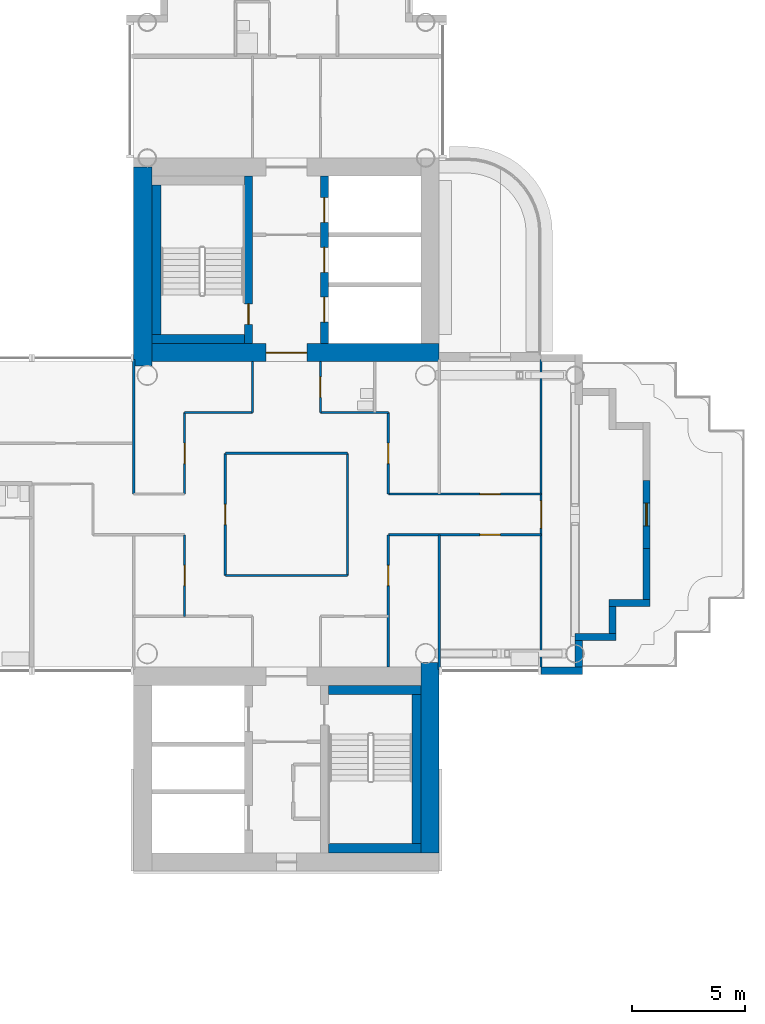
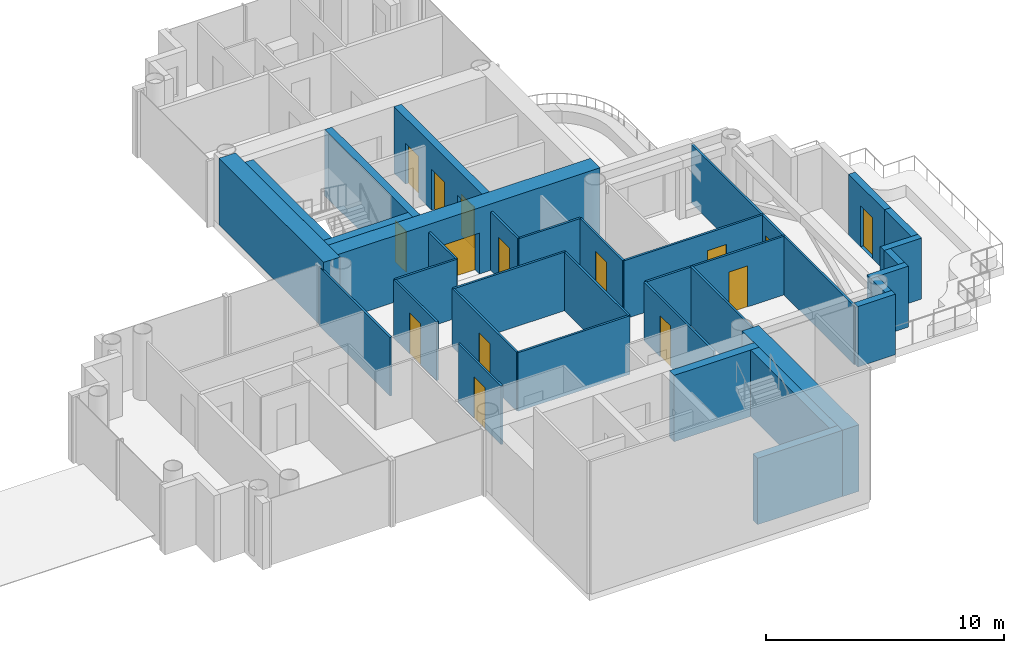
# One storey, part 11 of 19: 34 walls, 15 doors, 15 openings.
"""IFC4 building model written with IfcOpenShell, lengths in metres."""

from ifc_helpers import new_model, si_unit, direction, frame, frame_2d, origin, place, context, subcontext, project, spatial, rectangle, extrude, material, layer, layer_set, type_object, element, fill, save


model = new_model("IFC4")

# Units and contexts
model_context = context("Model", 3, precision=1e-05, world=origin(), true_north=direction((0.0, 1.0)))
body_context = subcontext(model_context, "Body", "Model", "MODEL_VIEW")
ifc_project = project(units=[si_unit("LENGTHUNIT", "METRE"), si_unit("AREAUNIT", "SQUARE_METRE"), si_unit("VOLUMEUNIT", "CUBIC_METRE"), si_unit("PLANEANGLEUNIT", "RADIAN"), si_unit("MASSUNIT", "GRAM", prefix="KILO")], contexts=[model_context])

# Site, building, storey
site_placement = place(None, origin())
site = spatial("IfcSite", under=ifc_project, at=site_placement, CompositionType="ELEMENT")
building_placement = place(site_placement, origin())
building = spatial("IfcBuilding", under=site, at=building_placement, Name="Ipe Terrace Towers", CompositionType="ELEMENT")
storey_placement = place(building_placement, frame((0.0, 0.0, 133.699951171875)))
storey = spatial("IfcBuildingStorey", under=building, at=storey_placement, Name="L36", CompositionType="ELEMENT", Elevation=133.699951171875)

# Walls
ifc_material_1 = material(Name="Concrete C40/50 with buff precast cladding", Category="concrete")
ifc_layer_1 = layer(ifc_material_1, 0.320068359375)
ifc_layer_set_1 = layer_set([ifc_layer_1], Name="BUFF CLADDING WALL 320")
wall_type_1 = type_object("IfcWallType", Name="BUFF CLADDING WALL 320", PredefinedType="STANDARD", material=ifc_layer_set_1)
wall_1_placement = place(storey_placement, frame((47.25, -6.909912109375, 0.0), z_axis=(0.0, 0.0, 1.0), x_axis=(1.0, 0.0, 0.0)))
element("IfcWall", 1, at=wall_1_placement, inside=storey, type_object=wall_type_1, Name="T2-W-L36-03a wall", PredefinedType="STANDARD", context=body_context, shape_type="SweptSolid", body=[
    extrude(rectangle(XDim=1.820068359375, YDim=0.320068359375, at=frame_2d((0.91015625, 0.0))), origin(), (0.0, 0.0, 1.0), 3.10009765625),
])
wall_2_placement = place(storey_placement, frame((48.909912109375, -6.75, -0.02001953125), z_axis=(0.0, 0.0, 1.0), x_axis=(0.0, 1.0, 0.0)))
element("IfcWall", 2, at=wall_2_placement, inside=storey, type_object=wall_type_1, Name="T2-W-L36-04a wall", PredefinedType="STANDARD", context=body_context, shape_type="SweptSolid", body=[
    extrude(rectangle(XDim=1.179931640625, YDim=0.320068359375, at=frame_2d((0.58984375, 0.0))), origin(), (0.0, 0.0, 1.0), 3.1201171875),
])
wall_3_placement = place(storey_placement, frame((48.75, -5.409912109375, -0.02001953125), z_axis=(0.0, 0.0, 1.0), x_axis=(1.0, 0.0, 0.0)))
element("IfcWall", 3, at=wall_3_placement, inside=storey, type_object=wall_type_1, Name="T2-W-L36-05a wall", PredefinedType="STANDARD", context=body_context, shape_type="SweptSolid", body=[
    extrude(rectangle(XDim=1.820068359375, YDim=0.320068359375, at=frame_2d((0.91015625, 0.0))), origin(), (0.0, 0.0, 1.0), 3.1201171875),
])
wall_4_placement = place(storey_placement, frame((50.409912109375, -5.25, -0.02001953125), z_axis=(0.0, 0.0, 1.0), x_axis=(0.0, 1.0, 0.0)))
element("IfcWall", 4, at=wall_4_placement, inside=storey, type_object=wall_type_1, Name="T2-W-L36-06a wall", PredefinedType="STANDARD", context=body_context, shape_type="SweptSolid", body=[
    extrude(rectangle(XDim=1.179931640625, YDim=0.320068359375, at=frame_2d((0.58984375, 0.0))), origin(), (0.0, 0.0, 1.0), 3.1201171875),
])
wall_5_placement = place(storey_placement, frame((50.25, -3.909912109375, -0.02001953125), z_axis=(0.0, 0.0, 1.0), x_axis=(1.0, 0.0, 0.0)))
element("IfcWall", 5, at=wall_5_placement, inside=storey, type_object=wall_type_1, Name="T2-W-L36-07a wall", PredefinedType="STANDARD", context=body_context, shape_type="SweptSolid", body=[
    extrude(rectangle(XDim=1.820068359375, YDim=0.320068359375, at=frame_2d((0.91015625, 0.0))), origin(), (0.0, 0.0, 1.0), 3.1201171875),
])
wall_6_placement = place(storey_placement, frame((51.909912109375, -3.75, -0.02001953125), z_axis=(0.0, 0.0, 1.0), x_axis=(0.0, 1.0, 0.0)))
element("IfcWall", 6, at=wall_6_placement, inside=storey, type_object=wall_type_1, Name="T2-W-L36-08a wall", PredefinedType="STANDARD", context=body_context, shape_type="SweptSolid", body=[
    extrude(rectangle(XDim=2.25, YDim=0.320068359375, at=frame_2d((1.125, 0.0))), origin(), (0.0, 0.0, 1.0), 3.1201171875),
])

# Wall, opening, door
wall_7_placement = place(storey_placement, frame((51.909912109375, -1.5, -0.02001953125), z_axis=(0.0, 0.0, 1.0), x_axis=(0.0, 1.0, 0.0)))
wall_7 = element("IfcWall", 7, at=wall_7_placement, inside=storey, type_object=wall_type_1, Name="T2-W-L36-08b wall", PredefinedType="STANDARD", context=body_context, shape_type="SweptSolid", body=[
    extrude(rectangle(XDim=3.0, YDim=0.320068359375, at=frame_2d((1.5, 0.0))), origin(), (0.0, 0.0, 1.0), 3.1201171875),
])
opening_1_placement = place(wall_7_placement, frame((1.0, 0.0, 0.02001953125)))
opening_1 = element("IfcOpeningElement", 8, at=opening_1_placement, cuts=wall_7, Name="Opening T2-D-L36-08", PredefinedType="OPENING", context=body_context, shape_type="SweptSolid", body=[
    extrude(rectangle(XDim=1.0, YDim=2.10009765625, at=frame_2d((0.5, 1.050048828125))), frame((0.0, 0.169921875, 0.0), z_axis=(0.0, -1.0, 0.0), x_axis=(1.0, 0.0, 0.0)), (0.0, 0.0, 1.0), 0.340087890625),
])
ifc_material_2 = material(Name="Aluminium alloy 6063-T6 framed glazed door", Category="aluminium")
door_type_1 = type_object("IfcDoorType", Name="TERRACE DOOR 1000 x 2100", OperationType="SINGLE_SWING_LEFT", PredefinedType="DOOR", material=ifc_material_2)
door_1_placement = place(opening_1_placement, origin())
door_1 = element("IfcDoor", 9, at=door_1_placement, inside=storey, type_object=door_type_1, Name="DT1 door", OperationType="SINGLE_SWING_LEFT", OverallHeight=2.10009765625, OverallWidth=1.0, PredefinedType="DOOR", context=body_context, shape_type="SweptSolid", body=[
    extrude(rectangle(XDim=1.0, YDim=2.10009765625, at=frame_2d((0.5, 1.050048828125))), frame((0.0, 0.02490234375, 0.0), z_axis=(0.0, -1.0, 0.0), x_axis=(1.0, 0.0, 0.0)), (0.0, 0.0, 1.0), 0.050048828125),
])
fill(opening_1, door_1)

# Wall
ifc_material_3 = material(Name="Gypsum board partition", Category="plasterboard")
ifc_layer_2 = layer(ifc_material_3, 0.10009765625)
ifc_layer_set_2 = layer_set([ifc_layer_2], Name="Gypsum board partition 100 mm")
wall_type_2 = type_object("IfcWallType", Name="Gypsum board partition 100 mm", PredefinedType="PARTITIONING", material=ifc_layer_set_2)
wall_8_placement = place(storey_placement, frame((38.699951171875, -2.699951171875, 0.0), z_axis=(0.0, 0.0, 1.0), x_axis=(-1.0, 0.0, 0.0)))
element("IfcWall", 10, at=wall_8_placement, inside=storey, type_object=wall_type_2, Name="Gypsum board partition T2 L36 W03", PredefinedType="PARTITIONING", context=body_context, shape_type="SweptSolid", body=[
    extrude(rectangle(XDim=5.39990234375, YDim=0.10009765625, at=frame_2d((2.699951171875, 0.0))), origin(), (0.0, 0.0, 1.0), 3.0),
])

# Wall, opening, door
wall_9_placement = place(storey_placement, frame((47.25, -0.89990234375, 0.0), z_axis=(0.0, 0.0, 1.0), x_axis=(-1.0, 0.0, 0.0)))
wall_9 = element("IfcWall", 11, at=wall_9_placement, inside=storey, type_object=wall_type_2, Name="Gypsum board partition T2 L36 W04", PredefinedType="PARTITIONING", context=body_context, shape_type="SweptSolid", body=[
    extrude(rectangle(XDim=6.75, YDim=0.10009765625, at=frame_2d((3.375, 0.0))), origin(), (0.0, 0.0, 1.0), 3.0),
])
opening_2_placement = place(wall_9_placement, frame((1.800048828125, 0.0, 0.0)))
opening_2 = element("IfcOpeningElement", 12, at=opening_2_placement, cuts=wall_9, Name="Opening T2-Z3A-15", PredefinedType="OPENING", context=body_context, shape_type="SweptSolid", body=[
    extrude(rectangle(XDim=0.89990234375, YDim=2.10009765625, at=frame_2d((0.449951171875, 1.050048828125))), frame((0.0, 0.06005859375, 0.0), z_axis=(0.0, -1.0, 0.0), x_axis=(1.0, 0.0, 0.0)), (0.0, 0.0, 1.0), 0.1201171875),
])
ifc_material_4 = material(Name="Timber door leaf", Category="wood")
door_type_2 = type_object("IfcDoorType", Name="Lounge door 900 x 2100", OperationType="NOTDEFINED", PredefinedType="DOOR", material=ifc_material_4)
door_2_placement = place(opening_2_placement, origin())
door_2 = element("IfcDoor", 13, at=door_2_placement, inside=storey, type_object=door_type_2, Name="Lounge door T2-Z3A-15", OperationType="SINGLE_SWING_RIGHT", OverallHeight=2.10009765625, OverallWidth=0.89990234375, PredefinedType="DOOR", context=body_context, shape_type="SweptSolid", body=[
    extrude(rectangle(XDim=0.89990234375, YDim=2.10009765625, at=frame_2d((0.449951171875, 1.050048828125))), frame((0.0, 0.02490234375, 0.0), z_axis=(0.0, -1.0, 0.0), x_axis=(1.0, 0.0, 0.0)), (0.0, 0.0, 1.0), 0.050048828125),
])
fill(opening_2, door_2)

wall_10_placement = place(storey_placement, frame((47.25, 0.89990234375, 0.0), z_axis=(0.0, 0.0, 1.0), x_axis=(-1.0, 0.0, 0.0)))
wall_10 = element("IfcWall", 14, at=wall_10_placement, inside=storey, type_object=wall_type_2, Name="Gypsum board partition T2 L36 W07", PredefinedType="PARTITIONING", context=body_context, shape_type="SweptSolid", body=[
    extrude(rectangle(XDim=6.75, YDim=0.10009765625, at=frame_2d((3.375, 0.0))), origin(), (0.0, 0.0, 1.0), 3.0),
])
opening_3_placement = place(wall_10_placement, frame((1.800048828125, 0.0, 0.0)))
opening_3 = element("IfcOpeningElement", 15, at=opening_3_placement, cuts=wall_10, Name="Opening T2-Z3A-14", PredefinedType="OPENING", context=body_context, shape_type="SweptSolid", body=[
    extrude(rectangle(XDim=0.89990234375, YDim=2.10009765625, at=frame_2d((0.449951171875, 1.050048828125))), frame((0.0, 0.06005859375, 0.0), z_axis=(0.0, -1.0, 0.0), x_axis=(1.0, 0.0, 0.0)), (0.0, 0.0, 1.0), 0.1201171875),
])
door_3_placement = place(opening_3_placement, origin())
door_3 = element("IfcDoor", 16, at=door_3_placement, inside=storey, type_object=door_type_2, Name="Lounge door T2-Z3A-14", OperationType="SINGLE_SWING_LEFT", OverallHeight=2.10009765625, OverallWidth=0.89990234375, PredefinedType="DOOR", context=body_context, shape_type="SweptSolid", body=[
    extrude(rectangle(XDim=0.89990234375, YDim=2.10009765625, at=frame_2d((0.449951171875, 1.050048828125))), frame((0.0, 0.02490234375, 0.0), z_axis=(0.0, -1.0, 0.0), x_axis=(1.0, 0.0, 0.0)), (0.0, 0.0, 1.0), 0.050048828125),
])
fill(opening_3, door_3)

# Walls
wall_11_placement = place(storey_placement, frame((38.699951171875, 2.699951171875, 0.0), z_axis=(0.0, 0.0, 1.0), x_axis=(-1.0, 0.0, 0.0)))
element("IfcWall", 17, at=wall_11_placement, inside=storey, type_object=wall_type_2, Name="Gypsum board partition T2 L36 W11", PredefinedType="PARTITIONING", context=body_context, shape_type="SweptSolid", body=[
    extrude(rectangle(XDim=5.39990234375, YDim=0.10009765625, at=frame_2d((2.699951171875, 0.0))), origin(), (0.0, 0.0, 1.0), 3.0),
])
for number, where, z_axis, x_axis, name in (
    (18, (40.5, 4.5, 0.0), (0.0, 0.0, 1.0), (-1.0, 0.0, 0.0), "Gypsum board partition T2 L36 W13"),
    (19, (34.5, 4.5, 0.0), (0.0, 0.0, 1.0), (-1.0, 0.0, 0.0), "Gypsum board partition T2 L36 W14"),
):
    element("IfcWall", number, at=place(storey_placement, frame(where, z_axis=z_axis, x_axis=x_axis)), inside=storey, type_object=wall_type_2, Name=name, PredefinedType="PARTITIONING", context=body_context, shape_type="SweptSolid", body=[
        extrude(rectangle(XDim=3.0, YDim=0.10009765625, at=frame_2d((1.5, 0.0))), origin(), (0.0, 0.0, 1.0), 3.0),
    ])

# Wall, opening, door
wall_12_placement = place(storey_placement, frame((47.25, -6.85009765625, 0.0), z_axis=(0.0, 0.0, 1.0), x_axis=(0.0, 1.0, 0.0)))
wall_12 = element("IfcWall", 20, at=wall_12_placement, inside=storey, type_object=wall_type_2, Name="Gypsum board partition T2 L36 W17", PredefinedType="PARTITIONING", context=body_context, shape_type="SweptSolid", body=[
    extrude(rectangle(XDim=13.7001953125, YDim=0.10009765625, at=frame_2d((6.85009765625, 0.0))), origin(), (0.0, 0.0, 1.0), 3.0),
])
opening_4_placement = place(wall_12_placement, frame((6.25, 0.0, 0.0)))
opening_4 = element("IfcOpeningElement", 21, at=opening_4_placement, cuts=wall_12, Name="Opening T2-Z3A-16", PredefinedType="OPENING", context=body_context, shape_type="SweptSolid", body=[
    extrude(rectangle(XDim=1.199951171875, YDim=2.10009765625, at=frame_2d((0.60009765625, 1.050048828125))), frame((0.0, 0.06005859375, 0.0), z_axis=(0.0, -1.0, 0.0), x_axis=(1.0, 0.0, 0.0)), (0.0, 0.0, 1.0), 0.1201171875),
])
ifc_material_5 = material(Name="Timber door leaf", Category="wood")
door_type_3 = type_object("IfcDoorType", Name="Lounge door 1200 x 2100", OperationType="NOTDEFINED", PredefinedType="DOOR", material=ifc_material_5)
door_4_placement = place(opening_4_placement, origin())
door_4 = element("IfcDoor", 22, at=door_4_placement, inside=storey, type_object=door_type_3, Name="Lounge door T2-Z3A-16", OperationType="SINGLE_SWING_RIGHT", OverallHeight=2.10009765625, OverallWidth=1.199951171875, PredefinedType="DOOR", context=body_context, shape_type="SweptSolid", body=[
    extrude(rectangle(XDim=1.199951171875, YDim=2.10009765625, at=frame_2d((0.60009765625, 1.050048828125))), frame((0.0, 0.02490234375, 0.0), z_axis=(0.0, -1.0, 0.0), x_axis=(1.0, 0.0, 0.0)), (0.0, 0.0, 1.0), 0.050048828125),
])
fill(opening_4, door_4)

# Wall
wall_13_placement = place(storey_placement, frame((42.75, -6.85009765625, 0.0), z_axis=(0.0, 0.0, 1.0), x_axis=(0.0, 1.0, 0.0)))
element("IfcWall", 23, at=wall_13_placement, inside=storey, type_object=wall_type_2, Name="Gypsum board partition T2 L36 W18", PredefinedType="PARTITIONING", context=body_context, shape_type="SweptSolid", body=[
    extrude(rectangle(XDim=5.9501953125, YDim=0.10009765625, at=frame_2d((2.97509765625, 0.0))), origin(), (0.0, 0.0, 1.0), 3.0),
])

# Wall, opening, door
wall_14_placement = place(storey_placement, frame((40.5, -6.75, 0.0), z_axis=(0.0, 0.0, 1.0), x_axis=(0.0, 1.0, 0.0)))
wall_14 = element("IfcWall", 24, at=wall_14_placement, inside=storey, type_object=wall_type_2, Name="Gypsum board partition T2 L36 W20", PredefinedType="PARTITIONING", context=body_context, shape_type="SweptSolid", body=[
    extrude(rectangle(XDim=5.85009765625, YDim=0.10009765625, at=frame_2d((2.925048828125, 0.0))), origin(), (0.0, 0.0, 1.0), 3.0),
])
opening_5_placement = place(wall_14_placement, frame((3.60009765625, 0.0, 0.0)))
opening_5 = element("IfcOpeningElement", 25, at=opening_5_placement, cuts=wall_14, Name="Opening T2-Z3A-06", PredefinedType="OPENING", context=body_context, shape_type="SweptSolid", body=[
    extrude(rectangle(XDim=0.89990234375, YDim=2.10009765625, at=frame_2d((0.449951171875, 1.050048828125))), frame((0.0, 0.06005859375, 0.0), z_axis=(0.0, -1.0, 0.0), x_axis=(1.0, 0.0, 0.0)), (0.0, 0.0, 1.0), 0.1201171875),
])
door_5_placement = place(opening_5_placement, origin())
door_5 = element("IfcDoor", 26, at=door_5_placement, inside=storey, type_object=door_type_2, Name="Lounge door T2-Z3A-06", OperationType="SINGLE_SWING_RIGHT", OverallHeight=2.10009765625, OverallWidth=0.89990234375, PredefinedType="DOOR", context=body_context, shape_type="SweptSolid", body=[
    extrude(rectangle(XDim=0.89990234375, YDim=2.10009765625, at=frame_2d((0.449951171875, 1.050048828125))), frame((0.0, 0.02490234375, 0.0), z_axis=(0.0, -1.0, 0.0), x_axis=(1.0, 0.0, 0.0)), (0.0, 0.0, 1.0), 0.050048828125),
])
fill(opening_5, door_5)

wall_15_placement = place(storey_placement, frame((40.5, 0.89990234375, 0.0), z_axis=(0.0, 0.0, 1.0), x_axis=(0.0, 1.0, 0.0)))
wall_15 = element("IfcWall", 27, at=wall_15_placement, inside=storey, type_object=wall_type_2, Name="Gypsum board partition T2 L36 W21", PredefinedType="PARTITIONING", context=body_context, shape_type="SweptSolid", body=[
    extrude(rectangle(XDim=3.60009765625, YDim=0.10009765625, at=frame_2d((1.800048828125, 0.0))), origin(), (0.0, 0.0, 1.0), 3.0),
])
opening_6_placement = place(wall_15_placement, frame((1.35009765625, 0.0, 0.0)))
opening_6 = element("IfcOpeningElement", 28, at=opening_6_placement, cuts=wall_15, Name="Opening T2-Z3A-08", PredefinedType="OPENING", context=body_context, shape_type="SweptSolid", body=[
    extrude(rectangle(XDim=0.89990234375, YDim=2.10009765625, at=frame_2d((0.449951171875, 1.050048828125))), frame((0.0, 0.06005859375, 0.0), z_axis=(0.0, -1.0, 0.0), x_axis=(1.0, 0.0, 0.0)), (0.0, 0.0, 1.0), 0.1201171875),
])
door_6_placement = place(opening_6_placement, origin())
door_6 = element("IfcDoor", 29, at=door_6_placement, inside=storey, type_object=door_type_2, Name="Lounge door T2-Z3A-08", OperationType="SINGLE_SWING_RIGHT", OverallHeight=2.10009765625, OverallWidth=0.89990234375, PredefinedType="DOOR", context=body_context, shape_type="SweptSolid", body=[
    extrude(rectangle(XDim=0.89990234375, YDim=2.10009765625, at=frame_2d((0.449951171875, 1.050048828125))), frame((0.0, 0.02490234375, 0.0), z_axis=(0.0, -1.0, 0.0), x_axis=(1.0, 0.0, 0.0)), (0.0, 0.0, 1.0), 0.050048828125),
])
fill(opening_6, door_6)

# Wall
wall_16_placement = place(storey_placement, frame((38.699951171875, -2.699951171875, 0.0), z_axis=(0.0, 0.0, 1.0), x_axis=(0.0, 1.0, 0.0)))
element("IfcWall", 30, at=wall_16_placement, inside=storey, type_object=wall_type_2, Name="Gypsum board partition T2 L36 W23", PredefinedType="PARTITIONING", context=body_context, shape_type="SweptSolid", body=[
    extrude(rectangle(XDim=5.39990234375, YDim=0.10009765625, at=frame_2d((2.699951171875, 0.0))), origin(), (0.0, 0.0, 1.0), 3.0),
])

# Wall, opening, door
wall_17_placement = place(storey_placement, frame((37.5, 4.5, 0.0), z_axis=(0.0, 0.0, 1.0), x_axis=(0.0, 1.0, 0.0)))
wall_17 = element("IfcWall", 31, at=wall_17_placement, inside=storey, type_object=wall_type_2, Name="Gypsum board partition T2 L36 W26", PredefinedType="PARTITIONING", context=body_context, shape_type="SweptSolid", body=[
    extrude(rectangle(XDim=2.25, YDim=0.10009765625, at=frame_2d((1.125, 0.0))), origin(), (0.0, 0.0, 1.0), 3.0),
])
opening_7_placement = place(wall_17_placement, frame((0.675048828125, 0.0, 0.0)))
opening_7 = element("IfcOpeningElement", 32, at=opening_7_placement, cuts=wall_17, Name="Opening T2-Z3A-02", PredefinedType="OPENING", context=body_context, shape_type="SweptSolid", body=[
    extrude(rectangle(XDim=0.89990234375, YDim=2.10009765625, at=frame_2d((0.449951171875, 1.050048828125))), frame((0.0, 0.06005859375, 0.0), z_axis=(0.0, -1.0, 0.0), x_axis=(1.0, 0.0, 0.0)), (0.0, 0.0, 1.0), 0.1201171875),
])
ifc_material_6 = material(Name="Timber door leaf", Category="wood")
door_type_4 = type_object("IfcDoorType", Name="Bathroom door 900 x 2100", OperationType="NOTDEFINED", PredefinedType="DOOR", material=ifc_material_6)
door_7_placement = place(opening_7_placement, origin())
door_7 = element("IfcDoor", 33, at=door_7_placement, inside=storey, type_object=door_type_4, Name="Bathroom door T2-Z3A-02", OperationType="SINGLE_SWING_RIGHT", OverallHeight=2.10009765625, OverallWidth=0.89990234375, PredefinedType="DOOR", context=body_context, shape_type="SweptSolid", body=[
    extrude(rectangle(XDim=0.89990234375, YDim=2.10009765625, at=frame_2d((0.449951171875, 1.050048828125))), frame((0.0, 0.02490234375, 0.0), z_axis=(0.0, -1.0, 0.0), x_axis=(1.0, 0.0, 0.0)), (0.0, 0.0, 1.0), 0.050048828125),
])
fill(opening_7, door_7)

# Wall
wall_18_placement = place(storey_placement, frame((34.5, 4.5, 0.0), z_axis=(0.0, 0.0, 1.0), x_axis=(0.0, 1.0, 0.0)))
element("IfcWall", 34, at=wall_18_placement, inside=storey, type_object=wall_type_2, Name="Gypsum board partition T2 L36 W30", PredefinedType="PARTITIONING", context=body_context, shape_type="SweptSolid", body=[
    extrude(rectangle(XDim=2.25, YDim=0.10009765625, at=frame_2d((1.125, 0.0))), origin(), (0.0, 0.0, 1.0), 3.0),
])

# Wall, opening, door
wall_19_placement = place(storey_placement, frame((33.300048828125, -2.699951171875, 0.0), z_axis=(0.0, 0.0, 1.0), x_axis=(0.0, 1.0, 0.0)))
wall_19 = element("IfcWall", 35, at=wall_19_placement, inside=storey, type_object=wall_type_2, Name="Gypsum board partition T2 L36 W33", PredefinedType="PARTITIONING", context=body_context, shape_type="SweptSolid", body=[
    extrude(rectangle(XDim=5.39990234375, YDim=0.10009765625, at=frame_2d((2.699951171875, 0.0))), origin(), (0.0, 0.0, 1.0), 3.0),
])
opening_8_placement = place(wall_19_placement, frame((2.25, 0.0, 0.0)))
opening_8 = element("IfcOpeningElement", 36, at=opening_8_placement, cuts=wall_19, Name="Opening T2-Z3A-01", PredefinedType="OPENING", context=body_context, shape_type="SweptSolid", body=[
    extrude(rectangle(XDim=0.89990234375, YDim=2.10009765625, at=frame_2d((0.449951171875, 1.050048828125))), frame((0.0, 0.06005859375, 0.0), z_axis=(0.0, -1.0, 0.0), x_axis=(1.0, 0.0, 0.0)), (0.0, 0.0, 1.0), 0.1201171875),
])
door_8_placement = place(opening_8_placement, origin())
door_8 = element("IfcDoor", 37, at=door_8_placement, inside=storey, type_object=door_type_2, Name="Lounge door T2-Z3A-01", OperationType="SINGLE_SWING_RIGHT", OverallHeight=2.10009765625, OverallWidth=0.89990234375, PredefinedType="DOOR", context=body_context, shape_type="SweptSolid", body=[
    extrude(rectangle(XDim=0.89990234375, YDim=2.10009765625, at=frame_2d((0.449951171875, 1.050048828125))), frame((0.0, 0.02490234375, 0.0), z_axis=(0.0, -1.0, 0.0), x_axis=(1.0, 0.0, 0.0)), (0.0, 0.0, 1.0), 0.050048828125),
])
fill(opening_8, door_8)

wall_20_placement = place(storey_placement, frame((31.5, -4.5, 0.0), z_axis=(0.0, 0.0, 1.0), x_axis=(0.0, 1.0, 0.0)))
wall_20 = element("IfcWall", 38, at=wall_20_placement, inside=storey, type_object=wall_type_2, Name="Gypsum board partition T2 L36 W34", PredefinedType="PARTITIONING", context=body_context, shape_type="SweptSolid", body=[
    extrude(rectangle(XDim=3.60009765625, YDim=0.10009765625, at=frame_2d((1.800048828125, 0.0))), origin(), (0.0, 0.0, 1.0), 3.0),
])
opening_9_placement = place(wall_20_placement, frame((1.35009765625, 0.0, 0.0)))
opening_9 = element("IfcOpeningElement", 39, at=opening_9_placement, cuts=wall_20, Name="Opening T2-Z3A-04", PredefinedType="OPENING", context=body_context, shape_type="SweptSolid", body=[
    extrude(rectangle(XDim=0.89990234375, YDim=2.10009765625, at=frame_2d((0.449951171875, 1.050048828125))), frame((0.0, 0.06005859375, 0.0), z_axis=(0.0, -1.0, 0.0), x_axis=(1.0, 0.0, 0.0)), (0.0, 0.0, 1.0), 0.1201171875),
])
door_9_placement = place(opening_9_placement, origin())
door_9 = element("IfcDoor", 40, at=door_9_placement, inside=storey, type_object=door_type_2, Name="Lounge door T2-Z3A-04", OperationType="SINGLE_SWING_RIGHT", OverallHeight=2.10009765625, OverallWidth=0.89990234375, PredefinedType="DOOR", context=body_context, shape_type="SweptSolid", body=[
    extrude(rectangle(XDim=0.89990234375, YDim=2.10009765625, at=frame_2d((0.449951171875, 1.050048828125))), frame((0.0, 0.02490234375, 0.0), z_axis=(0.0, -1.0, 0.0), x_axis=(1.0, 0.0, 0.0)), (0.0, 0.0, 1.0), 0.050048828125),
])
fill(opening_9, door_9)

wall_21_placement = place(storey_placement, frame((31.5, 0.89990234375, 0.0), z_axis=(0.0, 0.0, 1.0), x_axis=(0.0, 1.0, 0.0)))
wall_21 = element("IfcWall", 41, at=wall_21_placement, inside=storey, type_object=wall_type_2, Name="Gypsum board partition T2 L36 W35", PredefinedType="PARTITIONING", context=body_context, shape_type="SweptSolid", body=[
    extrude(rectangle(XDim=3.60009765625, YDim=0.10009765625, at=frame_2d((1.800048828125, 0.0))), origin(), (0.0, 0.0, 1.0), 3.0),
])
opening_10_placement = place(wall_21_placement, frame((1.35009765625, 0.0, 0.0)))
opening_10 = element("IfcOpeningElement", 42, at=opening_10_placement, cuts=wall_21, Name="Opening T2-Z3A-03", PredefinedType="OPENING", context=body_context, shape_type="SweptSolid", body=[
    extrude(rectangle(XDim=0.89990234375, YDim=2.10009765625, at=frame_2d((0.449951171875, 1.050048828125))), frame((0.0, 0.06005859375, 0.0), z_axis=(0.0, -1.0, 0.0), x_axis=(1.0, 0.0, 0.0)), (0.0, 0.0, 1.0), 0.1201171875),
])
door_10_placement = place(opening_10_placement, origin())
door_10 = element("IfcDoor", 43, at=door_10_placement, inside=storey, type_object=door_type_2, Name="Lounge door T2-Z3A-03", OperationType="SINGLE_SWING_RIGHT", OverallHeight=2.10009765625, OverallWidth=0.89990234375, PredefinedType="DOOR", context=body_context, shape_type="SweptSolid", body=[
    extrude(rectangle(XDim=0.89990234375, YDim=2.10009765625, at=frame_2d((0.449951171875, 1.050048828125))), frame((0.0, 0.02490234375, 0.0), z_axis=(0.0, -1.0, 0.0), x_axis=(1.0, 0.0, 0.0)), (0.0, 0.0, 1.0), 0.050048828125),
])
fill(opening_10, door_10)

# Wall
wall_22_placement = place(storey_placement, frame((29.25, 0.89990234375, 0.0), z_axis=(0.0, 0.0, 1.0), x_axis=(0.0, 1.0, 0.0)))
element("IfcWall", 44, at=wall_22_placement, inside=storey, type_object=wall_type_2, Name="Gypsum board partition T2 L36 W37", PredefinedType="PARTITIONING", context=body_context, shape_type="SweptSolid", body=[
    extrude(rectangle(XDim=5.9501953125, YDim=0.10009765625, at=frame_2d((2.97509765625, 0.0))), origin(), (0.0, 0.0, 1.0), 3.0),
])

# Wall, opening, door
ifc_material_7 = material(Name="Concrete C50/60", Category="concrete")
ifc_layer_3 = layer(ifc_material_7, 0.35009765625)
ifc_layer_set_3 = layer_set([ifc_layer_3], Name="RW350 CORE SPINE WALL 350 C50-60")
wall_type_3 = type_object("IfcWallType", Name="RW350 CORE SPINE WALL 350 C50-60", PredefinedType="SHEAR", material=ifc_layer_set_3)
wall_23_placement = place(storey_placement, frame((34.324951171875, 7.550048828125, 0.0), z_axis=(0.0, 0.0, 1.0), x_axis=(0.0, 1.0, 0.0)))
wall_23 = element("IfcWall", 45, at=wall_23_placement, inside=storey, type_object=wall_type_3, Name="Core spine wall T2-C1-Z3-SW1", PredefinedType="SHEAR", context=body_context, shape_type="SweptSolid", body=[
    extrude(rectangle(XDim=7.39990234375, YDim=0.35009765625, at=frame_2d((3.699951171875, 0.0))), origin(), (0.0, 0.0, 1.0), 3.400146484375),
])
opening_11_placement = place(wall_23_placement, frame((0.85009765625, 0.0, 0.0)))
opening_11 = element("IfcOpeningElement", 46, at=opening_11_placement, cuts=wall_23, Name="Opening T2C1-SD", PredefinedType="OPENING", context=body_context, shape_type="SweptSolid", body=[
    extrude(rectangle(XDim=0.89990234375, YDim=2.10009765625, at=frame_2d((0.449951171875, 1.050048828125))), frame((0.0, 0.18505859375, 0.0), z_axis=(0.0, -1.0, 0.0), x_axis=(1.0, 0.0, 0.0)), (0.0, 0.0, 1.0), 0.3701171875),
])
ifc_material_8 = material(Name="Fire-rated timber door leaf", Category="wood")
door_type_5 = type_object("IfcDoorType", Name="Stair door 900 x 2100 FD60", OperationType="NOTDEFINED", PredefinedType="DOOR", material=ifc_material_8)
door_11_placement = place(opening_11_placement, origin())
door_11 = element("IfcDoor", 47, at=door_11_placement, inside=storey, type_object=door_type_5, Name="Stair door T2C1-SD", OperationType="SINGLE_SWING_LEFT", OverallHeight=2.10009765625, OverallWidth=0.89990234375, PredefinedType="DOOR", context=body_context, shape_type="SweptSolid", body=[
    extrude(rectangle(XDim=0.89990234375, YDim=2.10009765625, at=frame_2d((0.449951171875, 1.050048828125))), frame((0.0, 0.02490234375, 0.0), z_axis=(0.0, -1.0, 0.0), x_axis=(1.0, 0.0, 0.0)), (0.0, 0.0, 1.0), 0.050048828125),
])
fill(opening_11, door_11)

# Wall, openings, doors
wall_24_placement = place(storey_placement, frame((37.675048828125, 7.550048828125, 0.0), z_axis=(0.0, 0.0, 1.0), x_axis=(0.0, 1.0, 0.0)))
wall_24 = element("IfcWall", 48, at=wall_24_placement, inside=storey, type_object=wall_type_3, Name="Core spine wall T2-C1-Z3-SW2", PredefinedType="SHEAR", context=body_context, shape_type="SweptSolid", body=[
    extrude(rectangle(XDim=7.39990234375, YDim=0.35009765625, at=frame_2d((3.699951171875, 0.0))), origin(), (0.0, 0.0, 1.0), 3.400146484375),
])
opening_12_placement = place(wall_24_placement, frame((0.949951171875, 0.0, 0.0)))
opening_12 = element("IfcOpeningElement", 49, at=opening_12_placement, cuts=wall_24, Name="Opening T2C1-LD1", PredefinedType="OPENING", context=body_context, shape_type="SweptSolid", body=[
    extrude(rectangle(XDim=1.10009765625, YDim=2.10009765625, at=frame_2d((0.550048828125, 1.050048828125))), frame((0.0, 0.18505859375, 0.0), z_axis=(0.0, -1.0, 0.0), x_axis=(1.0, 0.0, 0.0)), (0.0, 0.0, 1.0), 0.3701171875),
])
opening_13_placement = place(wall_24_placement, frame((3.14990234375, 0.0, 0.0)))
opening_13 = element("IfcOpeningElement", 50, at=opening_13_placement, cuts=wall_24, Name="Opening T2C1-LD2", PredefinedType="OPENING", context=body_context, shape_type="SweptSolid", body=[
    extrude(rectangle(XDim=1.10009765625, YDim=2.10009765625, at=frame_2d((0.550048828125, 1.050048828125))), frame((0.0, 0.18505859375, 0.0), z_axis=(0.0, -1.0, 0.0), x_axis=(1.0, 0.0, 0.0)), (0.0, 0.0, 1.0), 0.3701171875),
])
opening_14_placement = place(wall_24_placement, frame((5.35009765625, 0.0, 0.0)))
opening_14 = element("IfcOpeningElement", 51, at=opening_14_placement, cuts=wall_24, Name="Opening T2C1-LD3", PredefinedType="OPENING", context=body_context, shape_type="SweptSolid", body=[
    extrude(rectangle(XDim=1.10009765625, YDim=2.10009765625, at=frame_2d((0.550048828125, 1.050048828125))), frame((0.0, 0.18505859375, 0.0), z_axis=(0.0, -1.0, 0.0), x_axis=(1.0, 0.0, 0.0)), (0.0, 0.0, 1.0), 0.3701171875),
])
ifc_material_9 = material(Name="Fire-rated timber door leaf", Category="wood")
door_type_6 = type_object("IfcDoorType", Name="Sliding door 1100 x 2100 FD60", OperationType="SLIDING_TO_LEFT", PredefinedType="DOOR", material=ifc_material_9)
door_12_placement = place(opening_12_placement, origin())
door_12 = element("IfcDoor", 52, at=door_12_placement, inside=storey, type_object=door_type_6, Name="Sliding door T2C1-LD1", OperationType="SLIDING_TO_LEFT", OverallHeight=2.10009765625, OverallWidth=1.10009765625, PredefinedType="DOOR", context=body_context, shape_type="SweptSolid", body=[
    extrude(rectangle(XDim=1.10009765625, YDim=2.10009765625, at=frame_2d((0.550048828125, 1.050048828125))), frame((0.0, 0.02490234375, 0.0), z_axis=(0.0, -1.0, 0.0), x_axis=(1.0, 0.0, 0.0)), (0.0, 0.0, 1.0), 0.050048828125),
])
fill(opening_12, door_12)
door_13_placement = place(opening_13_placement, origin())
door_13 = element("IfcDoor", 53, at=door_13_placement, inside=storey, type_object=door_type_6, Name="Sliding door T2C1-LD2", OperationType="SLIDING_TO_LEFT", OverallHeight=2.10009765625, OverallWidth=1.10009765625, PredefinedType="DOOR", context=body_context, shape_type="SweptSolid", body=[
    extrude(rectangle(XDim=1.10009765625, YDim=2.10009765625, at=frame_2d((0.550048828125, 1.050048828125))), frame((0.0, 0.02490234375, 0.0), z_axis=(0.0, -1.0, 0.0), x_axis=(1.0, 0.0, 0.0)), (0.0, 0.0, 1.0), 0.050048828125),
])
fill(opening_13, door_13)
door_14_placement = place(opening_14_placement, origin())
door_14 = element("IfcDoor", 54, at=door_14_placement, inside=storey, type_object=door_type_6, Name="Sliding door T2C1-LD3", OperationType="SLIDING_TO_LEFT", OverallHeight=2.10009765625, OverallWidth=1.10009765625, PredefinedType="DOOR", context=body_context, shape_type="SweptSolid", body=[
    extrude(rectangle(XDim=1.10009765625, YDim=2.10009765625, at=frame_2d((0.550048828125, 1.050048828125))), frame((0.0, 0.02490234375, 0.0), z_axis=(0.0, -1.0, 0.0), x_axis=(1.0, 0.0, 0.0)), (0.0, 0.0, 1.0), 0.050048828125),
])
fill(opening_14, door_14)

# Walls
ifc_material_10 = material(Name="Concrete C50/60", Category="concrete")
ifc_layer_4 = layer(ifc_material_10, 0.39990234375)
ifc_layer_set_4 = layer_set([ifc_layer_4], Name="RW400 CORE INFILL WALL 400 C50-60")
wall_type_4 = type_object("IfcWallType", Name="RW400 CORE INFILL WALL 400 C50-60", PredefinedType="SHEAR", material=ifc_layer_set_4)
wall_25_placement = place(storey_placement, frame((30.25, 7.949951171875, 0.0), z_axis=(0.0, 0.0, 1.0), x_axis=(0.0, 1.0, 0.0)))
element("IfcWall", 55, at=wall_25_placement, inside=storey, type_object=wall_type_4, Name="Core infill wall T2-C1-back", PredefinedType="SHEAR", context=body_context, shape_type="SweptSolid", body=[
    extrude(rectangle(XDim=6.60009765625, YDim=0.39990234375, at=frame_2d((3.300048828125, 0.0))), origin(), (0.0, 0.0, 1.0), 3.400146484375),
])
for number, where, z_axis, x_axis, name in (
    (56, (34.14990234375, 7.75, 0.0), (0.0, 0.0, 1.0), (-1.0, 0.0, 0.0), "Core infill wall T2-C1-near"),
    (57, (37.85009765625, -14.75, 0.0), (0.0, 0.0, 1.0), (1.0, 0.0, 0.0), "Core infill wall T2-C2-far"),
):
    element("IfcWall", number, at=place(storey_placement, frame(where, z_axis=z_axis, x_axis=x_axis)), inside=storey, type_object=wall_type_4, Name=name, PredefinedType="SHEAR", context=body_context, shape_type="SweptSolid", body=[
        extrude(rectangle(XDim=4.099853515625, YDim=0.39990234375, at=frame_2d((2.0498046875, 0.0))), origin(), (0.0, 0.0, 1.0), 3.400146484375),
    ])
wall_26_placement = place(storey_placement, frame((41.75, -7.949951171875, 0.0), z_axis=(0.0, 0.0, 1.0), x_axis=(0.0, -1.0, 0.0)))
element("IfcWall", 58, at=wall_26_placement, inside=storey, type_object=wall_type_4, Name="Core infill wall T2-C2-back", PredefinedType="SHEAR", context=body_context, shape_type="SweptSolid", body=[
    extrude(rectangle(XDim=6.60009765625, YDim=0.39990234375, at=frame_2d((3.300048828125, 0.0))), origin(), (0.0, 0.0, 1.0), 3.400146484375),
])
wall_27_placement = place(storey_placement, frame((37.85009765625, -7.75, 0.0), z_axis=(0.0, 0.0, 1.0), x_axis=(1.0, 0.0, 0.0)))
element("IfcWall", 59, at=wall_27_placement, inside=storey, type_object=wall_type_4, Name="Core infill wall T2-C2-near", PredefinedType="SHEAR", context=body_context, shape_type="SweptSolid", body=[
    extrude(rectangle(XDim=4.099853515625, YDim=0.39990234375, at=frame_2d((2.0498046875, 0.0))), origin(), (0.0, 0.0, 1.0), 3.400146484375),
])

# Wall, opening, door
ifc_material_11 = material(Name="Concrete C50/60", Category="concrete")
ifc_layer_5 = layer(ifc_material_11, 0.800048828125)
ifc_layer_set_5 = layer_set([ifc_layer_5], Name="RW800 CORE WALL 800 C50-60")
wall_type_5 = type_object("IfcWallType", Name="RW800 CORE WALL 800 C50-60", PredefinedType="SHEAR", material=ifc_layer_set_5)
wall_28_placement = place(storey_placement, frame((30.050048828125, 7.14990234375, 0.0), z_axis=(0.0, 0.0, 1.0), x_axis=(1.0, 0.0, 0.0)))
wall_28 = element("IfcWall", 60, at=wall_28_placement, inside=storey, type_object=wall_type_5, Name="Core wall T2-C1-Z3-W01", PredefinedType="SHEAR", context=body_context, shape_type="SweptSolid", body=[
    extrude(rectangle(XDim=12.699951171875, YDim=0.800048828125, at=frame_2d((6.35009765625, 0.0))), origin(), (0.0, 0.0, 1.0), 3.400146484375),
])
opening_15_placement = place(wall_28_placement, frame((5.050048828125, 0.0, 0.0)))
opening_15 = element("IfcOpeningElement", 61, at=opening_15_placement, cuts=wall_28, Name="Opening T2C1-ND", PredefinedType="OPENING", context=body_context, shape_type="SweptSolid", body=[
    extrude(rectangle(XDim=1.800048828125, YDim=2.10009765625, at=frame_2d((0.89990234375, 1.050048828125))), frame((0.0, 0.41015625, 0.0), z_axis=(0.0, -1.0, 0.0), x_axis=(1.0, 0.0, 0.0)), (0.0, 0.0, 1.0), 0.820068359375),
])
ifc_material_12 = material(Name="Fire-rated timber door leaf", Category="wood")
door_type_7 = type_object("IfcDoorType", Name="Fire door 1800 x 2100 FD30S", OperationType="NOTDEFINED", PredefinedType="DOOR", material=ifc_material_12)
door_15_placement = place(opening_15_placement, origin())
door_15 = element("IfcDoor", 62, at=door_15_placement, inside=storey, type_object=door_type_7, Name="Fire door T2C1-ND", OperationType="SINGLE_SWING_LEFT", OverallHeight=2.10009765625, OverallWidth=1.800048828125, PredefinedType="DOOR", context=body_context, shape_type="SweptSolid", body=[
    extrude(rectangle(XDim=1.800048828125, YDim=2.10009765625, at=frame_2d((0.89990234375, 1.050048828125))), frame((0.0, 0.02490234375, 0.0), z_axis=(0.0, -1.0, 0.0), x_axis=(1.0, 0.0, 0.0)), (0.0, 0.0, 1.0), 0.050048828125),
])
fill(opening_15, door_15)

# Walls
wall_29_placement = place(storey_placement, frame((29.64990234375, 15.347900390625, 0.0), z_axis=(0.0, 0.0, 1.0), x_axis=(0.0, -1.0, 0.0)))
element("IfcWall", 63, at=wall_29_placement, inside=storey, type_object=wall_type_5, Name="Core wall T2-C1-Z3-W04", PredefinedType="SHEAR", context=body_context, shape_type="SweptSolid", body=[
    extrude(rectangle(XDim=8.7958984375, YDim=0.800048828125, at=frame_2d((4.39794921875, 0.0))), origin(), (0.0, 0.0, 1.0), 3.400146484375),
])
wall_30_placement = place(storey_placement, frame((42.35009765625, -14.949951171875, 0.0), z_axis=(0.0, 0.0, 1.0), x_axis=(0.0, 1.0, 0.0)))
element("IfcWall", 64, at=wall_30_placement, inside=storey, type_object=wall_type_5, Name="Core wall T2-C2-Z3-W02", PredefinedType="SHEAR", context=body_context, shape_type="SweptSolid", body=[
    extrude(rectangle(XDim=8.39794921875, YDim=0.800048828125, at=frame_2d((4.198974609375, 0.0))), origin(), (0.0, 0.0, 1.0), 3.400146484375),
])

save(model, "model.ifc")
